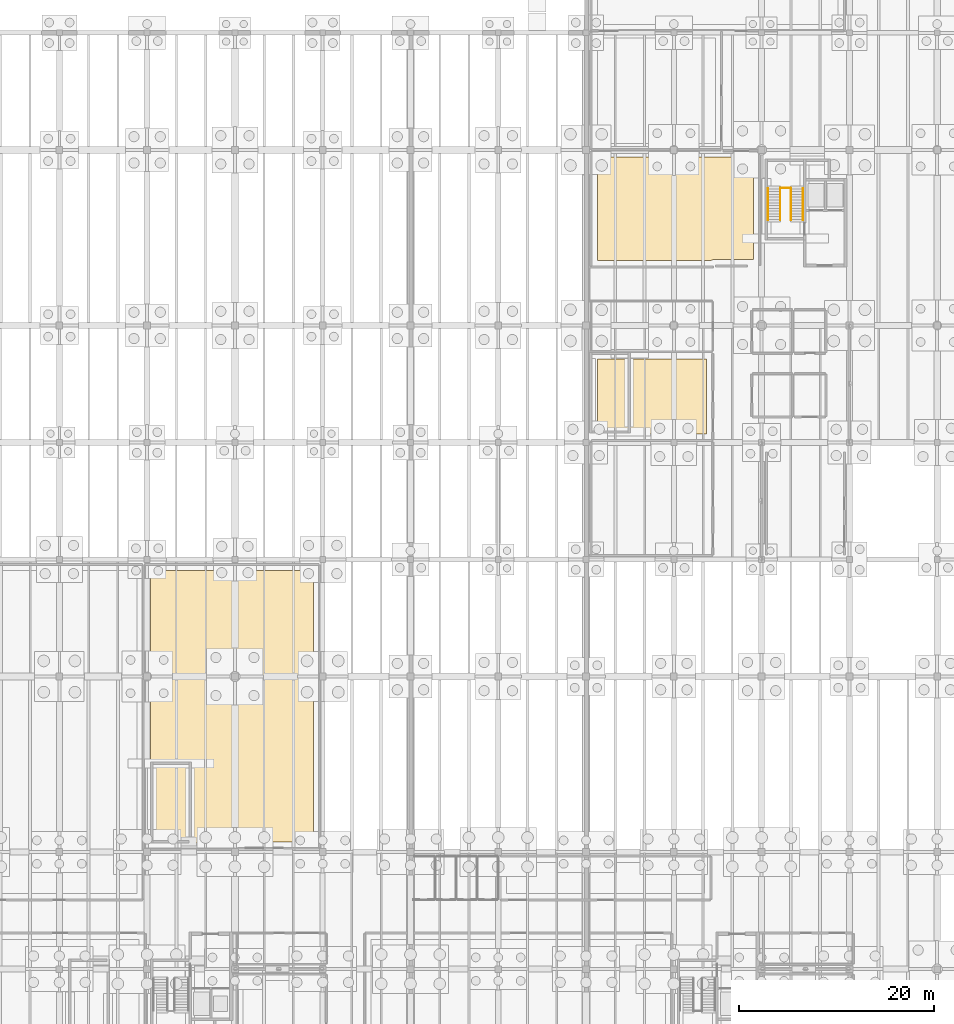
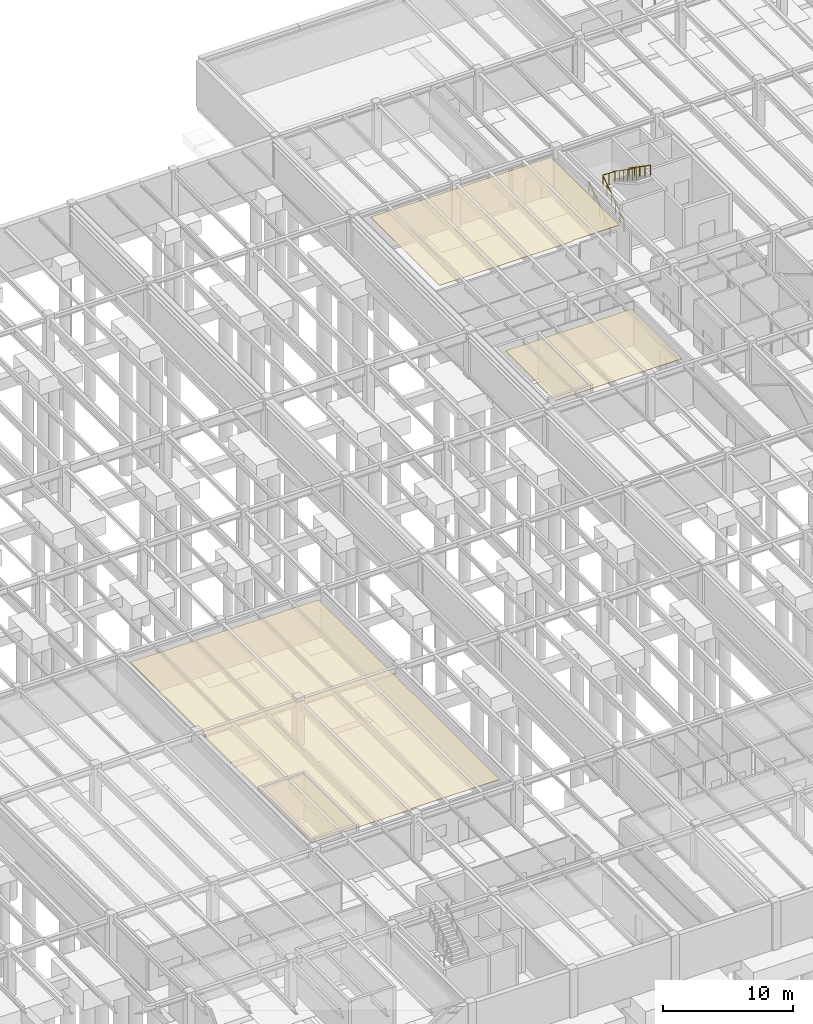
# One storey, part 38 of 40: 5 railings, 3 coverings.
"""IFC4 building model written with IfcOpenShell, lengths in metres."""

from ifc_helpers import new_model, si_unit, direction, frame, origin, origin_2d, place, context, subcontext, project, spatial, polyline, circle, outline, extrude, material, layer, layer_set, type_object, element, save


model = new_model("IFC4")

# Units and contexts
model_context = context("Model", 3, precision=1e-05, world=origin(), true_north=direction((0.0, 1.0)))
body_context = subcontext(model_context, "Body", "Model", "MODEL_VIEW")
ifc_project = project(units=[si_unit("LENGTHUNIT", "METRE"), si_unit("AREAUNIT", "SQUARE_METRE"), si_unit("VOLUMEUNIT", "CUBIC_METRE"), si_unit("PLANEANGLEUNIT", "RADIAN"), si_unit("MASSUNIT", "GRAM", prefix="KILO")], contexts=[model_context])

# Site, building, storey
site_placement = place(None, origin())
site = spatial("IfcSite", under=ifc_project, at=site_placement, CompositionType="ELEMENT")
building_placement = place(site_placement, origin())
building = spatial("IfcBuilding", under=site, at=building_placement, Name="Montelvaro Courts of Justice", CompositionType="ELEMENT")
storey_placement = place(building_placement, frame((0.0, 0.0, -4.5)))
storey = spatial("IfcBuildingStorey", under=building, at=storey_placement, Name="B01", CompositionType="ELEMENT", Elevation=-4.5)

# Coverings
ifc_material_1 = material(Name="Perforated acoustic gypsum ceiling")
ifc_layer = layer(ifc_material_1, 0.0400390625)
ifc_layer_set = layer_set([ifc_layer], Name="Perforated acoustic gypsum ceiling")
covering_type = type_object("IfcCoveringType", Name="AcousticCeiling_Court", PredefinedType="CEILING", material=ifc_layer_set)
covering_1_placement = place(storey_placement, frame((0.0, 0.0, 4.02001953125)))
element("IfcCovering", 1, at=covering_1_placement, inside=storey, type_object=covering_type, Name="Acoustic Ceiling Panel AC-01 (B01-11)", PredefinedType="CEILING", context=body_context, shape_type="SweptSolid", body=[
    extrude(outline(polyline([(112.052978515625, 84.735107421875), (112.0390625, 84.73291015625), (112.030029296875, 84.73095703125), (111.967041015625, 84.712890625), (111.906982421875, 84.68994140625), (111.888916015625, 84.681884765625), (111.8369140625, 84.656005859375), (111.827880859375, 84.65087890625), (111.825927734375, 84.64990234375), (100.14990234375, 84.64990234375), (100.14990234375, 95.25), (112.909912109375, 95.25), (112.949951171875, 95.251953125), (112.989990234375, 95.25), (116.14990234375, 95.25), (116.14990234375, 84.75), (115.68994140625, 84.75), (115.64990234375, 84.748046875), (115.610107421875, 84.75), (112.18994140625, 84.75), (112.1259765625, 84.7470703125), (112.06298828125, 84.737060546875), (112.052978515625, 84.735107421875)])), origin(), (0.0, 0.0, 1.0), 0.0400390625),
])
covering_2_placement = place(storey_placement, frame((0.0, 0.0, 4.02001953125)))
element("IfcCovering", 2, at=covering_2_placement, inside=storey, type_object=covering_type, Name="Acoustic Ceiling Panel AC-01 (B01-13)", PredefinedType="CEILING", context=body_context, shape_type="SweptSolid", body=[
    extrude(outline(polyline([(100.14990234375, 74.550048828125), (111.35009765625, 74.550048828125), (111.35009765625, 66.85009765625), (100.14990234375, 66.85009765625), (100.14990234375, 74.550048828125)])), origin(), (0.0, 0.0, 1.0), 0.0400390625),
])
covering_3_placement = place(storey_placement, frame((0.0, 0.0, 4.02001953125)))
element("IfcCovering", 3, at=covering_3_placement, inside=storey, type_object=covering_type, Name="Acoustic Ceiling Panel AC-01 (B01-22)", PredefinedType="CEILING", context=body_context, shape_type="SweptSolid", body=[
    extrude(outline(polyline([(63.052978515625, 25.034912109375), (63.0390625, 25.032958984375), (63.030029296875, 25.031005859375), (62.967041015625, 25.012939453125), (62.906982421875, 24.989990234375), (62.89794921875, 24.986083984375), (62.888916015625, 24.98193359375), (62.8369140625, 24.9560546875), (62.827880859375, 24.950927734375), (62.825927734375, 24.949951171875), (54.35009765625, 24.949951171875), (54.35009765625, 41.5), (54.5, 41.5), (54.5, 42.5), (54.35009765625, 42.5), (54.35009765625, 52.85009765625), (71.050048828125, 52.85009765625), (71.050048828125, 25.050048828125), (63.18994140625, 25.050048828125), (63.1259765625, 25.047119140625), (63.06298828125, 25.037109375), (63.052978515625, 25.034912109375)])), origin(), (0.0, 0.0, 1.0), 0.0400390625),
])

# Railings
ifc_material_2 = material(Name="Steel S355", Category="steel")
railing_type_1 = type_object("IfcRailingType", Name="InteriorGuard_1100", PredefinedType="BALUSTRADE", material=ifc_material_2)
railing_1_placement = place(storey_placement, frame((118.909912109375, 88.800048828125, 0.0)))
element("IfcRailing", 4, at=railing_1_placement, inside=storey, type_object=railing_type_1, Name="Stair Well Guard GR-02 ST-K3-B01-F1G", PredefinedType="BALUSTRADE", context=body_context, shape_type="SweptSolid", body=[
    extrude(circle(Radius=0.02392578125, at=origin_2d()), frame((0.0, 0.0, 1.076171875), z_axis=(0.0, 0.823407228882, 0.567450910146), x_axis=(-1.0, 0.0, 0.0)), (0.0, 0.0, 1.0), 3.965087890625),
    extrude(circle(Radius=0.02099609375, at=origin_2d()), origin(), (0.0, 0.0, 1.0), 1.052001953125),
    extrude(circle(Radius=0.02099609375, at=origin_2d()), frame((0.0, 0.653076171875, 0.449951171875)), (0.0, 0.0, 1.0), 1.052001953125),
    extrude(circle(Radius=0.02099609375, at=origin_2d()), frame((0.0, 1.305908203125, 0.89990234375)), (0.0, 0.0, 1.0), 1.052001953125),
    extrude(circle(Radius=0.02099609375, at=origin_2d()), frame((0.0, 1.958984375, 1.35009765625)), (0.0, 0.0, 1.0), 1.052001953125),
    extrude(circle(Radius=0.02099609375, at=origin_2d()), frame((0.0, 2.61181640625, 1.800048828125)), (0.0, 0.0, 1.0), 1.052001953125),
    extrude(circle(Radius=0.02099609375, at=origin_2d()), frame((0.0, 3.264892578125, 2.25)), (0.0, 0.0, 1.0), 1.052001953125),
])
railing_2_placement = place(storey_placement, frame((119.989990234375, 92.06494140625, 2.25)))
element("IfcRailing", 5, at=railing_2_placement, inside=storey, type_object=railing_type_1, Name="Stair Well Guard GR-02 ST-K3-B01-F2G", PredefinedType="BALUSTRADE", context=body_context, shape_type="SweptSolid", body=[
    extrude(circle(Radius=0.02392578125, at=origin_2d()), frame((0.0, 0.0, 1.076171875), z_axis=(0.0, -0.823407228882, 0.567450910146), x_axis=(1.0, 0.0, 0.0)), (0.0, 0.0, 1.0), 3.965087890625),
    extrude(circle(Radius=0.02099609375, at=origin_2d()), origin(), (0.0, 0.0, 1.0), 1.052001953125),
    extrude(circle(Radius=0.02099609375, at=origin_2d()), frame((0.0, -0.653076171875, 0.449951171875)), (0.0, 0.0, 1.0), 1.052001953125),
    extrude(circle(Radius=0.02099609375, at=origin_2d()), frame((0.0, -1.305908203125, 0.89990234375)), (0.0, 0.0, 1.0), 1.052001953125),
    extrude(circle(Radius=0.02099609375, at=origin_2d()), frame((0.0, -1.958984375, 1.35009765625)), (0.0, 0.0, 1.0), 1.052001953125),
    extrude(circle(Radius=0.02099609375, at=origin_2d()), frame((0.0, -2.61181640625, 1.800048828125)), (0.0, 0.0, 1.0), 1.052001953125),
    extrude(circle(Radius=0.02099609375, at=origin_2d()), frame((0.0, -3.264892578125, 2.25)), (0.0, 0.0, 1.0), 1.052001953125),
])
railing_3_placement = place(storey_placement, frame((118.909912109375, 92.06494140625, 2.25)))
element("IfcRailing", 6, at=railing_3_placement, inside=storey, type_object=railing_type_1, Name="Stair Well Guard GR-02 ST-K3-B01-MLG", PredefinedType="BALUSTRADE", context=body_context, shape_type="SweptSolid", body=[
    extrude(circle(Radius=0.02392578125, at=origin_2d()), frame((0.0, 0.0, 1.076171875), z_axis=(1.0, 0.0, 0.0), x_axis=(0.0, 1.0, 0.0)), (0.0, 0.0, 1.0), 1.080078125),
    extrude(circle(Radius=0.02099609375, at=origin_2d()), origin(), (0.0, 0.0, 1.0), 1.052001953125),
    extrude(circle(Radius=0.02099609375, at=origin_2d()), frame((0.5400390625, 0.0, 0.0)), (0.0, 0.0, 1.0), 1.052001953125),
    extrude(circle(Radius=0.02099609375, at=origin_2d()), frame((1.080078125, 0.0, 0.0)), (0.0, 0.0, 1.0), 1.052001953125),
])
ifc_material_3 = material(Name="Austenitic stainless steel EN 1.4401", Category="steel")
railing_type_2 = type_object("IfcRailingType", Name="StairHandrail_950", PredefinedType="HANDRAIL", material=ifc_material_3)
railing_4_placement = place(storey_placement, frame((117.659912109375, 88.800048828125, 0.0)))
element("IfcRailing", 7, at=railing_4_placement, inside=storey, type_object=railing_type_2, Name="Stair Pitch Handrail HR-01 ST-K3-B01-F1H", PredefinedType="HANDRAIL", context=body_context, shape_type="SweptSolid", body=[
    extrude(circle(Radius=0.02392578125, at=origin_2d()), frame((0.0, 0.0, 0.92578125), z_axis=(0.0, 0.823407228882, 0.567450910146), x_axis=(-1.0, 0.0, 0.0)), (0.0, 0.0, 1.0), 3.965087890625),
    extrude(circle(Radius=0.02099609375, at=origin_2d()), origin(), (0.0, 0.0, 1.0), 0.90185546875),
    extrude(circle(Radius=0.02099609375, at=origin_2d()), frame((0.0, 0.816162109375, 0.5625)), (0.0, 0.0, 1.0), 0.90185546875),
    extrude(circle(Radius=0.02099609375, at=origin_2d()), frame((0.0, 1.63232421875, 1.125)), (0.0, 0.0, 1.0), 0.90185546875),
    extrude(circle(Radius=0.02099609375, at=origin_2d()), frame((0.0, 2.44873046875, 1.6875)), (0.0, 0.0, 1.0), 0.90185546875),
    extrude(circle(Radius=0.02099609375, at=origin_2d()), frame((0.0, 3.264892578125, 2.25)), (0.0, 0.0, 1.0), 0.90185546875),
])
railing_5_placement = place(storey_placement, frame((121.239990234375, 92.06494140625, 2.25)))
element("IfcRailing", 8, at=railing_5_placement, inside=storey, type_object=railing_type_2, Name="Stair Pitch Handrail HR-01 ST-K3-B01-F2H", PredefinedType="HANDRAIL", context=body_context, shape_type="SweptSolid", body=[
    extrude(circle(Radius=0.02392578125, at=origin_2d()), frame((0.0, 0.0, 0.92578125), z_axis=(0.0, -0.823407228882, 0.567450910146), x_axis=(1.0, 0.0, 0.0)), (0.0, 0.0, 1.0), 3.965087890625),
    extrude(circle(Radius=0.02099609375, at=origin_2d()), origin(), (0.0, 0.0, 1.0), 0.90185546875),
    extrude(circle(Radius=0.02099609375, at=origin_2d()), frame((0.0, -0.816162109375, 0.5625)), (0.0, 0.0, 1.0), 0.90185546875),
    extrude(circle(Radius=0.02099609375, at=origin_2d()), frame((0.0, -1.63232421875, 1.125)), (0.0, 0.0, 1.0), 0.90185546875),
    extrude(circle(Radius=0.02099609375, at=origin_2d()), frame((0.0, -2.44873046875, 1.6875)), (0.0, 0.0, 1.0), 0.90185546875),
    extrude(circle(Radius=0.02099609375, at=origin_2d()), frame((0.0, -3.264892578125, 2.25)), (0.0, 0.0, 1.0), 0.90185546875),
])

save(model, "model.ifc")
